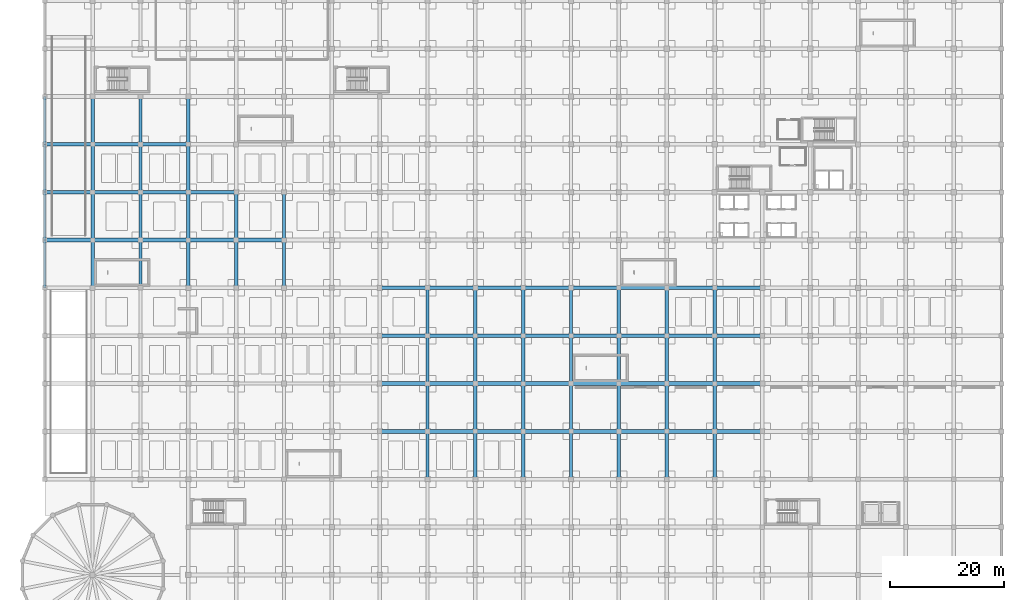
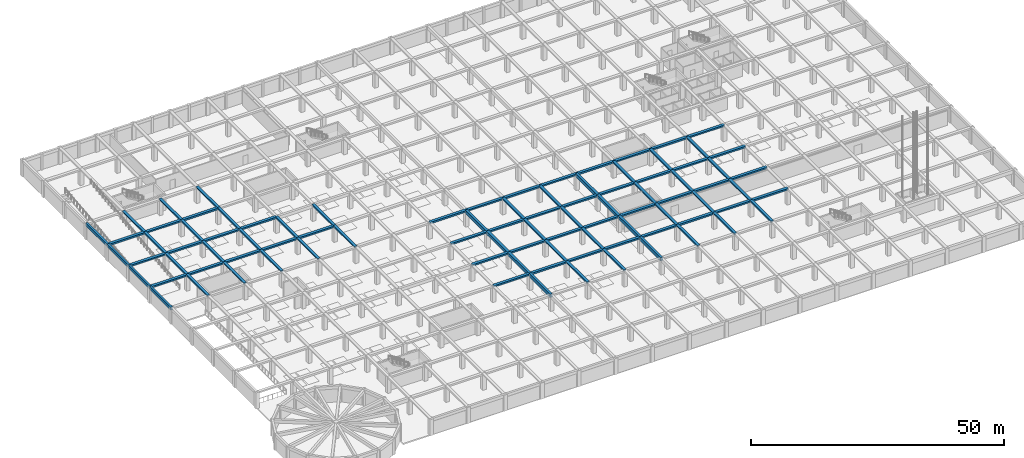
# One storey, part 5 of 32: 92 beams.
"""IFC4 building model written with IfcOpenShell, lengths in metres."""

from ifc_helpers import new_model, si_unit, direction, frame, origin, origin_2d, place, context, subcontext, project, spatial, rectangle, extrude, material, material_profile, profile_set, type_object, element, save


model = new_model("IFC4")

# Units and contexts
model_context = context("Model", 3, precision=1e-05, world=origin(), true_north=direction((0.0, 1.0)))
body_context = subcontext(model_context, "Body", "Model", "MODEL_VIEW")
ifc_project = project(units=[si_unit("LENGTHUNIT", "METRE"), si_unit("AREAUNIT", "SQUARE_METRE"), si_unit("VOLUMEUNIT", "CUBIC_METRE"), si_unit("PLANEANGLEUNIT", "RADIAN"), si_unit("MASSUNIT", "GRAM", prefix="KILO")], contexts=[model_context])

# Site, building, storey
site_placement = place(None, origin())
site = spatial("IfcSite", under=ifc_project, at=site_placement, CompositionType="ELEMENT")
building_placement = place(site_placement, origin())
building = spatial("IfcBuilding", under=site, at=building_placement, Name="Almacenes y Pasaje Nevantli", CompositionType="ELEMENT")
storey_placement = place(building_placement, frame((0.0, 0.0, -4.199951171875)))
storey = spatial("IfcBuildingStorey", under=building, at=storey_placement, Name="B01", CompositionType="ELEMENT", Elevation=-4.199951171875)

# Beams
ifc_material_1 = material(Name="Concrete C35/45", Category="concrete")
ifc_material_profile_1 = material_profile(ifc_material_1, rectangle(XDim=0.449951171875, YDim=0.699951171875, at=origin_2d()), Name="RC-BM-450x700")
ifc_profile_set_1 = profile_set([ifc_material_profile_1], Name="Concrete C35/45")
beam_type_1 = type_object("IfcBeamType", Name="BM-RC-450x700", PredefinedType="SPANDREL", material=ifc_profile_set_1)
beam_1_placement = place(storey_placement, frame((0.0, 58.800048828125, 3.530029296875), z_axis=(0.0, 1.0, 0.0), x_axis=(-1.0, 0.0, 0.0)))
element("IfcBeam", 1, at=beam_1_placement, inside=storey, type_object=beam_type_1, Name="B01 North-South Reinforced Concrete Beam #900", PredefinedType="SPANDREL", context=body_context, shape_type="SweptSolid", body=[
    extrude(rectangle(XDim=0.449951171875, YDim=0.699951171875, at=origin_2d()), origin(), (0.0, 0.0, 1.0), 8.39990234375),
])
beam_2_placement = place(storey_placement, frame((0.0, 67.199951171875, 3.530029296875), z_axis=(0.0, 1.0, 0.0), x_axis=(-1.0, 0.0, 0.0)))
element("IfcBeam", 2, at=beam_2_placement, inside=storey, type_object=beam_type_1, Name="B01 North-South Reinforced Concrete Beam #901", PredefinedType="SPANDREL", context=body_context, shape_type="SweptSolid", body=[
    extrude(rectangle(XDim=0.449951171875, YDim=0.699951171875, at=origin_2d()), origin(), (0.0, 0.0, 1.0), 8.400146484375),
])
for number, where, z_axis, x_axis, name in (
    (3, (0.0, 75.60009765625, 3.530029296875), (0.0, 1.0, 0.0), (-1.0, 0.0, 0.0), "B01 North-South Reinforced Concrete Beam #902"),
    (4, (0.0, 84.0, 3.530029296875), (0.0, 1.0, 0.0), (-1.0, 0.0, 0.0), "B01 North-South Reinforced Concrete Beam #903"),
):
    element("IfcBeam", number, at=place(storey_placement, frame(where, z_axis=z_axis, x_axis=x_axis)), inside=storey, type_object=beam_type_1, Name=name, PredefinedType="SPANDREL", context=body_context, shape_type="SweptSolid", body=[
        extrude(rectangle(XDim=0.449951171875, YDim=0.699951171875, at=origin_2d()), origin(), (0.0, 0.0, 1.0), 8.39990234375),
    ])
ifc_material_2 = material(Name="Concrete C35/45", Category="concrete")
ifc_material_profile_2 = material_profile(ifc_material_2, rectangle(XDim=0.550048828125, YDim=0.800048828125, at=origin_2d()), Name="RC-BM-550x800")
ifc_profile_set_2 = profile_set([ifc_material_profile_2], Name="Concrete C35/45")
beam_type_2 = type_object("IfcBeamType", Name="BM-RC-550x800", PredefinedType="BEAM", material=ifc_profile_set_2)
beam_3_placement = place(storey_placement, frame((67.199951171875, 25.199951171875, 3.47998046875), z_axis=(0.0, 1.0, 0.0), x_axis=(-1.0, 0.0, 0.0)))
element("IfcBeam", 5, at=beam_3_placement, inside=storey, type_object=beam_type_2, Name="B01 North-South Reinforced Concrete Beam #999", PredefinedType="BEAM", context=body_context, shape_type="SweptSolid", body=[
    extrude(rectangle(XDim=0.550048828125, YDim=0.800048828125, at=origin_2d()), origin(), (0.0, 0.0, 1.0), 8.400146484375),
])
for number, where, z_axis, x_axis, name in (
    (6, (67.199951171875, 33.60009765625, 3.47998046875), (0.0, 1.0, 0.0), (-1.0, 0.0, 0.0), "B01 North-South Reinforced Concrete Beam #1000"),
    (7, (67.199951171875, 42.0, 3.47998046875), (0.0, 1.0, 0.0), (-1.0, 0.0, 0.0), "B01 North-South Reinforced Concrete Beam #1001"),
):
    element("IfcBeam", number, at=place(storey_placement, frame(where, z_axis=z_axis, x_axis=x_axis)), inside=storey, type_object=beam_type_2, Name=name, PredefinedType="BEAM", context=body_context, shape_type="SweptSolid", body=[
        extrude(rectangle(XDim=0.550048828125, YDim=0.800048828125, at=origin_2d()), origin(), (0.0, 0.0, 1.0), 8.39990234375),
    ])
for number, where, z_axis, x_axis, name in (
    (8, (67.199951171875, 50.39990234375, 3.47998046875), (0.0, 1.0, 0.0), (-1.0, 0.0, 0.0), "B01 North-South Reinforced Concrete Beam #1002"),
    (9, (92.39990234375, 25.199951171875, 3.47998046875), (0.0, 1.0, 0.0), (-1.0, 0.0, 0.0), "B01 North-South Reinforced Concrete Beam #1041"),
):
    element("IfcBeam", number, at=place(storey_placement, frame(where, z_axis=z_axis, x_axis=x_axis)), inside=storey, type_object=beam_type_2, Name=name, PredefinedType="BEAM", context=body_context, shape_type="SweptSolid", body=[
        extrude(rectangle(XDim=0.550048828125, YDim=0.800048828125, at=origin_2d()), origin(), (0.0, 0.0, 1.0), 8.400146484375),
    ])
for number, where, z_axis, x_axis, name in (
    (10, (92.39990234375, 33.60009765625, 3.47998046875), (0.0, 1.0, 0.0), (-1.0, 0.0, 0.0), "B01 North-South Reinforced Concrete Beam #1042"),
    (11, (92.39990234375, 42.0, 3.47998046875), (0.0, 1.0, 0.0), (-1.0, 0.0, 0.0), "B01 North-South Reinforced Concrete Beam #1043"),
):
    element("IfcBeam", number, at=place(storey_placement, frame(where, z_axis=z_axis, x_axis=x_axis)), inside=storey, type_object=beam_type_2, Name=name, PredefinedType="BEAM", context=body_context, shape_type="SweptSolid", body=[
        extrude(rectangle(XDim=0.550048828125, YDim=0.800048828125, at=origin_2d()), origin(), (0.0, 0.0, 1.0), 8.39990234375),
    ])
beam_4_placement = place(storey_placement, frame((92.39990234375, 50.39990234375, 3.47998046875), z_axis=(0.0, 1.0, 0.0), x_axis=(-1.0, 0.0, 0.0)))
element("IfcBeam", 12, at=beam_4_placement, inside=storey, type_object=beam_type_2, Name="B01 North-South Reinforced Concrete Beam #1044", PredefinedType="BEAM", context=body_context, shape_type="SweptSolid", body=[
    extrude(rectangle(XDim=0.550048828125, YDim=0.800048828125, at=origin_2d()), origin(), (0.0, 0.0, 1.0), 8.400146484375),
])
ifc_material_3 = material(Name="Concrete C35/45", Category="concrete")
ifc_material_profile_3 = material_profile(ifc_material_3, rectangle(XDim=0.60009765625, YDim=0.320068359375, at=origin_2d()), Name="RC-BM-600x320")
ifc_profile_set_3 = profile_set([ifc_material_profile_3], Name="Concrete C35/45")
beam_type_3 = type_object("IfcBeamType", Name="BM-RC-600x320", PredefinedType="BEAM", material=ifc_profile_set_3)
beam_5_placement = place(storey_placement, frame((8.39990234375, 67.199951171875, 3.719970703125), z_axis=(0.0, 1.0, 0.0), x_axis=(-1.0, 0.0, 0.0)))
element("IfcBeam", 13, at=beam_5_placement, inside=storey, type_object=beam_type_3, Name="B01 North-South Reinforced Concrete Beam #912", PredefinedType="BEAM", context=body_context, shape_type="SweptSolid", body=[
    extrude(rectangle(XDim=0.60009765625, YDim=0.320068359375, at=origin_2d()), origin(), (0.0, 0.0, 1.0), 8.400146484375),
])
for number, where, z_axis, x_axis, name in (
    (14, (8.39990234375, 84.0, 3.719970703125), (0.0, 1.0, 0.0), (-1.0, 0.0, 0.0), "B01 North-South Reinforced Concrete Beam #914"),
    (15, (16.800048828125, 58.800048828125, 3.719970703125), (0.0, 1.0, 0.0), (-1.0, 0.0, 0.0), "B01 North-South Reinforced Concrete Beam #922"),
    (16, (16.800048828125, 75.60009765625, 3.719970703125), (0.0, 1.0, 0.0), (-1.0, 0.0, 0.0), "B01 North-South Reinforced Concrete Beam #924"),
):
    element("IfcBeam", number, at=place(storey_placement, frame(where, z_axis=z_axis, x_axis=x_axis)), inside=storey, type_object=beam_type_3, Name=name, PredefinedType="BEAM", context=body_context, shape_type="SweptSolid", body=[
        extrude(rectangle(XDim=0.60009765625, YDim=0.320068359375, at=origin_2d()), origin(), (0.0, 0.0, 1.0), 8.39990234375),
    ])
beam_6_placement = place(storey_placement, frame((25.199951171875, 67.199951171875, 3.719970703125), z_axis=(0.0, 1.0, 0.0), x_axis=(-1.0, 0.0, 0.0)))
element("IfcBeam", 17, at=beam_6_placement, inside=storey, type_object=beam_type_3, Name="B01 North-South Reinforced Concrete Beam #936", PredefinedType="BEAM", context=body_context, shape_type="SweptSolid", body=[
    extrude(rectangle(XDim=0.60009765625, YDim=0.320068359375, at=origin_2d()), origin(), (0.0, 0.0, 1.0), 8.400146484375),
])
for number, where, z_axis, x_axis, name in (
    (18, (25.199951171875, 84.0, 3.719970703125), (0.0, 1.0, 0.0), (-1.0, 0.0, 0.0), "B01 North-South Reinforced Concrete Beam #938"),
    (19, (33.60009765625, 58.800048828125, 3.719970703125), (0.0, 1.0, 0.0), (-1.0, 0.0, 0.0), "B01 North-South Reinforced Concrete Beam #948"),
):
    element("IfcBeam", number, at=place(storey_placement, frame(where, z_axis=z_axis, x_axis=x_axis)), inside=storey, type_object=beam_type_3, Name=name, PredefinedType="BEAM", context=body_context, shape_type="SweptSolid", body=[
        extrude(rectangle(XDim=0.60009765625, YDim=0.320068359375, at=origin_2d()), origin(), (0.0, 0.0, 1.0), 8.39990234375),
    ])
beam_7_placement = place(storey_placement, frame((42.0, 67.199951171875, 3.719970703125), z_axis=(0.0, 1.0, 0.0), x_axis=(-1.0, 0.0, 0.0)))
element("IfcBeam", 20, at=beam_7_placement, inside=storey, type_object=beam_type_3, Name="B01 North-South Reinforced Concrete Beam #963", PredefinedType="BEAM", context=body_context, shape_type="SweptSolid", body=[
    extrude(rectangle(XDim=0.60009765625, YDim=0.320068359375, at=origin_2d()), origin(), (0.0, 0.0, 1.0), 8.400146484375),
])
beam_8_placement = place(storey_placement, frame((75.60009765625, 33.60009765625, 3.719970703125), z_axis=(0.0, 1.0, 0.0), x_axis=(-1.0, 0.0, 0.0)))
element("IfcBeam", 21, at=beam_8_placement, inside=storey, type_object=beam_type_3, Name="B01 North-South Reinforced Concrete Beam #1014", PredefinedType="BEAM", context=body_context, shape_type="SweptSolid", body=[
    extrude(rectangle(XDim=0.60009765625, YDim=0.320068359375, at=origin_2d()), origin(), (0.0, 0.0, 1.0), 8.39990234375),
])
for number, where, z_axis, x_axis, name in (
    (22, (75.60009765625, 50.39990234375, 3.719970703125), (0.0, 1.0, 0.0), (-1.0, 0.0, 0.0), "B01 North-South Reinforced Concrete Beam #1016"),
    (23, (84.0, 25.199951171875, 3.719970703125), (0.0, 1.0, 0.0), (-1.0, 0.0, 0.0), "B01 North-South Reinforced Concrete Beam #1027"),
):
    element("IfcBeam", number, at=place(storey_placement, frame(where, z_axis=z_axis, x_axis=x_axis)), inside=storey, type_object=beam_type_3, Name=name, PredefinedType="BEAM", context=body_context, shape_type="SweptSolid", body=[
        extrude(rectangle(XDim=0.60009765625, YDim=0.320068359375, at=origin_2d()), origin(), (0.0, 0.0, 1.0), 8.400146484375),
    ])
beam_9_placement = place(storey_placement, frame((84.0, 42.0, 3.719970703125), z_axis=(0.0, 1.0, 0.0), x_axis=(-1.0, 0.0, 0.0)))
element("IfcBeam", 24, at=beam_9_placement, inside=storey, type_object=beam_type_3, Name="B01 North-South Reinforced Concrete Beam #1029", PredefinedType="BEAM", context=body_context, shape_type="SweptSolid", body=[
    extrude(rectangle(XDim=0.60009765625, YDim=0.320068359375, at=origin_2d()), origin(), (0.0, 0.0, 1.0), 8.39990234375),
])
beam_10_placement = place(storey_placement, frame((100.800048828125, 25.199951171875, 3.719970703125), z_axis=(0.0, 1.0, 0.0), x_axis=(-1.0, 0.0, 0.0)))
element("IfcBeam", 25, at=beam_10_placement, inside=storey, type_object=beam_type_3, Name="B01 North-South Reinforced Concrete Beam #1055", PredefinedType="BEAM", context=body_context, shape_type="SweptSolid", body=[
    extrude(rectangle(XDim=0.60009765625, YDim=0.320068359375, at=origin_2d()), origin(), (0.0, 0.0, 1.0), 8.400146484375),
])
for number, where, z_axis, x_axis, name in (
    (26, (100.800048828125, 42.0, 3.719970703125), (0.0, 1.0, 0.0), (-1.0, 0.0, 0.0), "B01 North-South Reinforced Concrete Beam #1057"),
    (27, (109.199951171875, 33.60009765625, 3.719970703125), (0.0, 1.0, 0.0), (-1.0, 0.0, 0.0), "B01 North-South Reinforced Concrete Beam #1070"),
):
    element("IfcBeam", number, at=place(storey_placement, frame(where, z_axis=z_axis, x_axis=x_axis)), inside=storey, type_object=beam_type_3, Name=name, PredefinedType="BEAM", context=body_context, shape_type="SweptSolid", body=[
        extrude(rectangle(XDim=0.60009765625, YDim=0.320068359375, at=origin_2d()), origin(), (0.0, 0.0, 1.0), 8.39990234375),
    ])
for number, where, z_axis, x_axis, name in (
    (28, (109.199951171875, 50.39990234375, 3.719970703125), (0.0, 1.0, 0.0), (-1.0, 0.0, 0.0), "B01 North-South Reinforced Concrete Beam #1072"),
    (29, (117.60009765625, 25.199951171875, 3.719970703125), (0.0, 1.0, 0.0), (-1.0, 0.0, 0.0), "B01 North-South Reinforced Concrete Beam #1083"),
):
    element("IfcBeam", number, at=place(storey_placement, frame(where, z_axis=z_axis, x_axis=x_axis)), inside=storey, type_object=beam_type_3, Name=name, PredefinedType="BEAM", context=body_context, shape_type="SweptSolid", body=[
        extrude(rectangle(XDim=0.60009765625, YDim=0.320068359375, at=origin_2d()), origin(), (0.0, 0.0, 1.0), 8.400146484375),
    ])
beam_11_placement = place(storey_placement, frame((117.60009765625, 42.0, 3.719970703125), z_axis=(0.0, 1.0, 0.0), x_axis=(-1.0, 0.0, 0.0)))
element("IfcBeam", 30, at=beam_11_placement, inside=storey, type_object=beam_type_3, Name="B01 North-South Reinforced Concrete Beam #1085", PredefinedType="BEAM", context=body_context, shape_type="SweptSolid", body=[
    extrude(rectangle(XDim=0.60009765625, YDim=0.320068359375, at=origin_2d()), origin(), (0.0, 0.0, 1.0), 8.39990234375),
])
ifc_material_4 = material(Name="Concrete C35/45", Category="concrete")
ifc_material_profile_4 = material_profile(ifc_material_4, rectangle(XDim=0.60009765625, YDim=0.340087890625, at=origin_2d()), Name="RC-BM-600x340")
ifc_profile_set_4 = profile_set([ifc_material_profile_4], Name="Concrete C35/45")
beam_type_4 = type_object("IfcBeamType", Name="BM-RC-600x340", PredefinedType="BEAM", material=ifc_profile_set_4)
for number, where, z_axis, x_axis, name in (
    (31, (8.39990234375, 58.800048828125, 3.7099609375), (0.0, 1.0, 0.0), (-1.0, 0.0, 0.0), "B01 North-South Reinforced Concrete Beam #911"),
    (32, (8.39990234375, 75.60009765625, 3.7099609375), (0.0, 1.0, 0.0), (-1.0, 0.0, 0.0), "B01 North-South Reinforced Concrete Beam #913"),
):
    element("IfcBeam", number, at=place(storey_placement, frame(where, z_axis=z_axis, x_axis=x_axis)), inside=storey, type_object=beam_type_4, Name=name, PredefinedType="BEAM", context=body_context, shape_type="SweptSolid", body=[
        extrude(rectangle(XDim=0.60009765625, YDim=0.340087890625, at=origin_2d()), origin(), (0.0, 0.0, 1.0), 8.39990234375),
    ])
beam_12_placement = place(storey_placement, frame((16.800048828125, 67.199951171875, 3.7099609375), z_axis=(0.0, 1.0, 0.0), x_axis=(-1.0, 0.0, 0.0)))
element("IfcBeam", 33, at=beam_12_placement, inside=storey, type_object=beam_type_4, Name="B01 North-South Reinforced Concrete Beam #923", PredefinedType="BEAM", context=body_context, shape_type="SweptSolid", body=[
    extrude(rectangle(XDim=0.60009765625, YDim=0.340087890625, at=origin_2d()), origin(), (0.0, 0.0, 1.0), 8.400146484375),
])
for number, where, z_axis, x_axis, name in (
    (34, (16.800048828125, 84.0, 3.7099609375), (0.0, 1.0, 0.0), (-1.0, 0.0, 0.0), "B01 North-South Reinforced Concrete Beam #925"),
    (35, (25.199951171875, 58.800048828125, 3.7099609375), (0.0, 1.0, 0.0), (-1.0, 0.0, 0.0), "B01 North-South Reinforced Concrete Beam #935"),
    (36, (25.199951171875, 75.60009765625, 3.7099609375), (0.0, 1.0, 0.0), (-1.0, 0.0, 0.0), "B01 North-South Reinforced Concrete Beam #937"),
):
    element("IfcBeam", number, at=place(storey_placement, frame(where, z_axis=z_axis, x_axis=x_axis)), inside=storey, type_object=beam_type_4, Name=name, PredefinedType="BEAM", context=body_context, shape_type="SweptSolid", body=[
        extrude(rectangle(XDim=0.60009765625, YDim=0.340087890625, at=origin_2d()), origin(), (0.0, 0.0, 1.0), 8.39990234375),
    ])
beam_13_placement = place(storey_placement, frame((33.60009765625, 67.199951171875, 3.7099609375), z_axis=(0.0, 1.0, 0.0), x_axis=(-1.0, 0.0, 0.0)))
element("IfcBeam", 37, at=beam_13_placement, inside=storey, type_object=beam_type_4, Name="B01 North-South Reinforced Concrete Beam #949", PredefinedType="BEAM", context=body_context, shape_type="SweptSolid", body=[
    extrude(rectangle(XDim=0.60009765625, YDim=0.340087890625, at=origin_2d()), origin(), (0.0, 0.0, 1.0), 8.400146484375),
])
beam_14_placement = place(storey_placement, frame((42.0, 58.800048828125, 3.7099609375), z_axis=(0.0, 1.0, 0.0), x_axis=(-1.0, 0.0, 0.0)))
element("IfcBeam", 38, at=beam_14_placement, inside=storey, type_object=beam_type_4, Name="B01 North-South Reinforced Concrete Beam #962", PredefinedType="BEAM", context=body_context, shape_type="SweptSolid", body=[
    extrude(rectangle(XDim=0.60009765625, YDim=0.340087890625, at=origin_2d()), origin(), (0.0, 0.0, 1.0), 8.39990234375),
])
beam_15_placement = place(storey_placement, frame((75.60009765625, 25.199951171875, 3.7099609375), z_axis=(0.0, 1.0, 0.0), x_axis=(-1.0, 0.0, 0.0)))
element("IfcBeam", 39, at=beam_15_placement, inside=storey, type_object=beam_type_4, Name="B01 North-South Reinforced Concrete Beam #1013", PredefinedType="BEAM", context=body_context, shape_type="SweptSolid", body=[
    extrude(rectangle(XDim=0.60009765625, YDim=0.340087890625, at=origin_2d()), origin(), (0.0, 0.0, 1.0), 8.400146484375),
])
for number, where, z_axis, x_axis, name in (
    (40, (75.60009765625, 42.0, 3.7099609375), (0.0, 1.0, 0.0), (-1.0, 0.0, 0.0), "B01 North-South Reinforced Concrete Beam #1015"),
    (41, (84.0, 33.60009765625, 3.7099609375), (0.0, 1.0, 0.0), (-1.0, 0.0, 0.0), "B01 North-South Reinforced Concrete Beam #1028"),
):
    element("IfcBeam", number, at=place(storey_placement, frame(where, z_axis=z_axis, x_axis=x_axis)), inside=storey, type_object=beam_type_4, Name=name, PredefinedType="BEAM", context=body_context, shape_type="SweptSolid", body=[
        extrude(rectangle(XDim=0.60009765625, YDim=0.340087890625, at=origin_2d()), origin(), (0.0, 0.0, 1.0), 8.39990234375),
    ])
beam_16_placement = place(storey_placement, frame((84.0, 50.39990234375, 3.7099609375), z_axis=(0.0, 1.0, 0.0), x_axis=(-1.0, 0.0, 0.0)))
element("IfcBeam", 42, at=beam_16_placement, inside=storey, type_object=beam_type_4, Name="B01 North-South Reinforced Concrete Beam #1030", PredefinedType="BEAM", context=body_context, shape_type="SweptSolid", body=[
    extrude(rectangle(XDim=0.60009765625, YDim=0.340087890625, at=origin_2d()), origin(), (0.0, 0.0, 1.0), 8.400146484375),
])
beam_17_placement = place(storey_placement, frame((100.800048828125, 33.60009765625, 3.7099609375), z_axis=(0.0, 1.0, 0.0), x_axis=(-1.0, 0.0, 0.0)))
element("IfcBeam", 43, at=beam_17_placement, inside=storey, type_object=beam_type_4, Name="B01 North-South Reinforced Concrete Beam #1056", PredefinedType="BEAM", context=body_context, shape_type="SweptSolid", body=[
    extrude(rectangle(XDim=0.60009765625, YDim=0.340087890625, at=origin_2d()), origin(), (0.0, 0.0, 1.0), 8.39990234375),
])
for number, where, z_axis, x_axis, name in (
    (44, (100.800048828125, 50.39990234375, 3.7099609375), (0.0, 1.0, 0.0), (-1.0, 0.0, 0.0), "B01 North-South Reinforced Concrete Beam #1058"),
    (45, (109.199951171875, 25.199951171875, 3.7099609375), (0.0, 1.0, 0.0), (-1.0, 0.0, 0.0), "B01 North-South Reinforced Concrete Beam #1069"),
):
    element("IfcBeam", number, at=place(storey_placement, frame(where, z_axis=z_axis, x_axis=x_axis)), inside=storey, type_object=beam_type_4, Name=name, PredefinedType="BEAM", context=body_context, shape_type="SweptSolid", body=[
        extrude(rectangle(XDim=0.60009765625, YDim=0.340087890625, at=origin_2d()), origin(), (0.0, 0.0, 1.0), 8.400146484375),
    ])
for number, where, z_axis, x_axis, name in (
    (46, (109.199951171875, 42.0, 3.7099609375), (0.0, 1.0, 0.0), (-1.0, 0.0, 0.0), "B01 North-South Reinforced Concrete Beam #1071"),
    (47, (117.60009765625, 33.60009765625, 3.7099609375), (0.0, 1.0, 0.0), (-1.0, 0.0, 0.0), "B01 North-South Reinforced Concrete Beam #1084"),
):
    element("IfcBeam", number, at=place(storey_placement, frame(where, z_axis=z_axis, x_axis=x_axis)), inside=storey, type_object=beam_type_4, Name=name, PredefinedType="BEAM", context=body_context, shape_type="SweptSolid", body=[
        extrude(rectangle(XDim=0.60009765625, YDim=0.340087890625, at=origin_2d()), origin(), (0.0, 0.0, 1.0), 8.39990234375),
    ])
beam_18_placement = place(storey_placement, frame((117.60009765625, 50.39990234375, 3.7099609375), z_axis=(0.0, 1.0, 0.0), x_axis=(-1.0, 0.0, 0.0)))
element("IfcBeam", 48, at=beam_18_placement, inside=storey, type_object=beam_type_4, Name="B01 North-South Reinforced Concrete Beam #1086", PredefinedType="BEAM", context=body_context, shape_type="SweptSolid", body=[
    extrude(rectangle(XDim=0.60009765625, YDim=0.340087890625, at=origin_2d()), origin(), (0.0, 0.0, 1.0), 8.400146484375),
])
ifc_material_5 = material(Name="Concrete C35/45", Category="concrete")
ifc_material_profile_5 = material_profile(ifc_material_5, rectangle(XDim=0.64990234375, YDim=0.35009765625, at=origin_2d()), Name="RC-BM-650x350")
ifc_profile_set_5 = profile_set([ifc_material_profile_5], Name="Concrete C35/45")
beam_type_5 = type_object("IfcBeamType", Name="BM-RC-650x350", PredefinedType="BEAM", material=ifc_profile_set_5)
for number, where, z_axis, x_axis, name in (
    (49, (58.800048828125, 33.60009765625, 3.704833984375), (1.0, 0.0, 0.0), (0.0, 1.0, 0.0), "B01 East-West Reinforced Concrete Beam #683"),
    (50, (75.60009765625, 33.60009765625, 3.704833984375), (1.0, 0.0, 0.0), (0.0, 1.0, 0.0), "B01 East-West Reinforced Concrete Beam #685"),
):
    element("IfcBeam", number, at=place(storey_placement, frame(where, z_axis=z_axis, x_axis=x_axis)), inside=storey, type_object=beam_type_5, Name=name, PredefinedType="BEAM", context=body_context, shape_type="SweptSolid", body=[
        extrude(rectangle(XDim=0.64990234375, YDim=0.35009765625, at=origin_2d()), origin(), (0.0, 0.0, 1.0), 8.39990234375),
    ])
for number, where, z_axis, x_axis, name in (
    (51, (92.39990234375, 33.60009765625, 3.704833984375), (1.0, 0.0, 0.0), (0.0, 1.0, 0.0), "B01 East-West Reinforced Concrete Beam #687"),
    (52, (109.199951171875, 33.60009765625, 3.704833984375), (1.0, 0.0, 0.0), (0.0, 1.0, 0.0), "B01 East-West Reinforced Concrete Beam #689"),
    (53, (67.199951171875, 42.0, 3.704833984375), (1.0, 0.0, 0.0), (0.0, 1.0, 0.0), "B01 East-West Reinforced Concrete Beam #704"),
):
    element("IfcBeam", number, at=place(storey_placement, frame(where, z_axis=z_axis, x_axis=x_axis)), inside=storey, type_object=beam_type_5, Name=name, PredefinedType="BEAM", context=body_context, shape_type="SweptSolid", body=[
        extrude(rectangle(XDim=0.64990234375, YDim=0.35009765625, at=origin_2d()), origin(), (0.0, 0.0, 1.0), 8.400146484375),
    ])
for number, where, z_axis, x_axis, name in (
    (54, (84.0, 42.0, 3.704833984375), (1.0, 0.0, 0.0), (0.0, 1.0, 0.0), "B01 East-West Reinforced Concrete Beam #706"),
    (55, (100.800048828125, 42.0, 3.704833984375), (1.0, 0.0, 0.0), (0.0, 1.0, 0.0), "B01 East-West Reinforced Concrete Beam #708"),
    (56, (117.60009765625, 42.0, 3.704833984375), (1.0, 0.0, 0.0), (0.0, 1.0, 0.0), "B01 East-West Reinforced Concrete Beam #710"),
    (57, (58.800048828125, 50.39990234375, 3.704833984375), (1.0, 0.0, 0.0), (0.0, 1.0, 0.0), "B01 East-West Reinforced Concrete Beam #723"),
    (58, (75.60009765625, 50.39990234375, 3.704833984375), (1.0, 0.0, 0.0), (0.0, 1.0, 0.0), "B01 East-West Reinforced Concrete Beam #725"),
):
    element("IfcBeam", number, at=place(storey_placement, frame(where, z_axis=z_axis, x_axis=x_axis)), inside=storey, type_object=beam_type_5, Name=name, PredefinedType="BEAM", context=body_context, shape_type="SweptSolid", body=[
        extrude(rectangle(XDim=0.64990234375, YDim=0.35009765625, at=origin_2d()), origin(), (0.0, 0.0, 1.0), 8.39990234375),
    ])
for number, where, z_axis, x_axis, name in (
    (59, (92.39990234375, 50.39990234375, 3.704833984375), (1.0, 0.0, 0.0), (0.0, 1.0, 0.0), "B01 East-West Reinforced Concrete Beam #727"),
    (60, (109.199951171875, 50.39990234375, 3.704833984375), (1.0, 0.0, 0.0), (0.0, 1.0, 0.0), "B01 East-West Reinforced Concrete Beam #729"),
    (61, (67.199951171875, 58.800048828125, 3.704833984375), (1.0, 0.0, 0.0), (0.0, 1.0, 0.0), "B01 East-West Reinforced Concrete Beam #744"),
):
    element("IfcBeam", number, at=place(storey_placement, frame(where, z_axis=z_axis, x_axis=x_axis)), inside=storey, type_object=beam_type_5, Name=name, PredefinedType="BEAM", context=body_context, shape_type="SweptSolid", body=[
        extrude(rectangle(XDim=0.64990234375, YDim=0.35009765625, at=origin_2d()), origin(), (0.0, 0.0, 1.0), 8.400146484375),
    ])
for number, where, z_axis, x_axis, name in (
    (62, (84.0, 58.800048828125, 3.704833984375), (1.0, 0.0, 0.0), (0.0, 1.0, 0.0), "B01 East-West Reinforced Concrete Beam #746"),
    (63, (100.800048828125, 58.800048828125, 3.704833984375), (1.0, 0.0, 0.0), (0.0, 1.0, 0.0), "B01 East-West Reinforced Concrete Beam #748"),
    (64, (117.60009765625, 58.800048828125, 3.704833984375), (1.0, 0.0, 0.0), (0.0, 1.0, 0.0), "B01 East-West Reinforced Concrete Beam #750"),
):
    element("IfcBeam", number, at=place(storey_placement, frame(where, z_axis=z_axis, x_axis=x_axis)), inside=storey, type_object=beam_type_5, Name=name, PredefinedType="BEAM", context=body_context, shape_type="SweptSolid", body=[
        extrude(rectangle(XDim=0.64990234375, YDim=0.35009765625, at=origin_2d()), origin(), (0.0, 0.0, 1.0), 8.39990234375),
    ])
for number, where, z_axis, x_axis, name in (
    (65, (8.39990234375, 67.199951171875, 3.704833984375), (1.0, 0.0, 0.0), (0.0, 1.0, 0.0), "B01 East-West Reinforced Concrete Beam #757"),
    (66, (25.199951171875, 67.199951171875, 3.704833984375), (1.0, 0.0, 0.0), (0.0, 1.0, 0.0), "B01 East-West Reinforced Concrete Beam #759"),
):
    element("IfcBeam", number, at=place(storey_placement, frame(where, z_axis=z_axis, x_axis=x_axis)), inside=storey, type_object=beam_type_5, Name=name, PredefinedType="BEAM", context=body_context, shape_type="SweptSolid", body=[
        extrude(rectangle(XDim=0.64990234375, YDim=0.35009765625, at=origin_2d()), origin(), (0.0, 0.0, 1.0), 8.400146484375),
    ])
for number, where, z_axis, x_axis, name in (
    (67, (0.0, 75.60009765625, 3.704833984375), (1.0, 0.0, 0.0), (0.0, 1.0, 0.0), "B01 East-West Reinforced Concrete Beam #776"),
    (68, (16.800048828125, 75.60009765625, 3.704833984375), (1.0, 0.0, 0.0), (0.0, 1.0, 0.0), "B01 East-West Reinforced Concrete Beam #778"),
):
    element("IfcBeam", number, at=place(storey_placement, frame(where, z_axis=z_axis, x_axis=x_axis)), inside=storey, type_object=beam_type_5, Name=name, PredefinedType="BEAM", context=body_context, shape_type="SweptSolid", body=[
        extrude(rectangle(XDim=0.64990234375, YDim=0.35009765625, at=origin_2d()), origin(), (0.0, 0.0, 1.0), 8.39990234375),
    ])
beam_19_placement = place(storey_placement, frame((8.39990234375, 84.0, 3.704833984375), z_axis=(1.0, 0.0, 0.0), x_axis=(0.0, 1.0, 0.0)))
element("IfcBeam", 69, at=beam_19_placement, inside=storey, type_object=beam_type_5, Name="B01 East-West Reinforced Concrete Beam #797", PredefinedType="BEAM", context=body_context, shape_type="SweptSolid", body=[
    extrude(rectangle(XDim=0.64990234375, YDim=0.35009765625, at=origin_2d()), origin(), (0.0, 0.0, 1.0), 8.400146484375),
])
ifc_material_6 = material(Name="Concrete C35/45", Category="concrete")
ifc_material_profile_6 = material_profile(ifc_material_6, rectangle(XDim=0.64990234375, YDim=0.3798828125, at=origin_2d()), Name="RC-BM-650x380")
ifc_profile_set_6 = profile_set([ifc_material_profile_6], Name="Concrete C35/45")
beam_type_6 = type_object("IfcBeamType", Name="BM-RC-650x380", PredefinedType="BEAM", material=ifc_profile_set_6)
beam_20_placement = place(storey_placement, frame((67.199951171875, 33.60009765625, 3.68994140625), z_axis=(1.0, 0.0, 0.0), x_axis=(0.0, 1.0, 0.0)))
element("IfcBeam", 70, at=beam_20_placement, inside=storey, type_object=beam_type_6, Name="B01 East-West Reinforced Concrete Beam #684", PredefinedType="BEAM", context=body_context, shape_type="SweptSolid", body=[
    extrude(rectangle(XDim=0.64990234375, YDim=0.3798828125, at=origin_2d()), origin(), (0.0, 0.0, 1.0), 8.400146484375),
])
for number, where, z_axis, x_axis, name in (
    (71, (84.0, 33.60009765625, 3.68994140625), (1.0, 0.0, 0.0), (0.0, 1.0, 0.0), "B01 East-West Reinforced Concrete Beam #686"),
    (72, (100.800048828125, 33.60009765625, 3.68994140625), (1.0, 0.0, 0.0), (0.0, 1.0, 0.0), "B01 East-West Reinforced Concrete Beam #688"),
    (73, (117.60009765625, 33.60009765625, 3.68994140625), (1.0, 0.0, 0.0), (0.0, 1.0, 0.0), "B01 East-West Reinforced Concrete Beam #690"),
    (74, (58.800048828125, 42.0, 3.68994140625), (1.0, 0.0, 0.0), (0.0, 1.0, 0.0), "B01 East-West Reinforced Concrete Beam #703"),
    (75, (75.60009765625, 42.0, 3.68994140625), (1.0, 0.0, 0.0), (0.0, 1.0, 0.0), "B01 East-West Reinforced Concrete Beam #705"),
):
    element("IfcBeam", number, at=place(storey_placement, frame(where, z_axis=z_axis, x_axis=x_axis)), inside=storey, type_object=beam_type_6, Name=name, PredefinedType="BEAM", context=body_context, shape_type="SweptSolid", body=[
        extrude(rectangle(XDim=0.64990234375, YDim=0.3798828125, at=origin_2d()), origin(), (0.0, 0.0, 1.0), 8.39990234375),
    ])
for number, where, z_axis, x_axis, name in (
    (76, (92.39990234375, 42.0, 3.68994140625), (1.0, 0.0, 0.0), (0.0, 1.0, 0.0), "B01 East-West Reinforced Concrete Beam #707"),
    (77, (109.199951171875, 42.0, 3.68994140625), (1.0, 0.0, 0.0), (0.0, 1.0, 0.0), "B01 East-West Reinforced Concrete Beam #709"),
    (78, (67.199951171875, 50.39990234375, 3.68994140625), (1.0, 0.0, 0.0), (0.0, 1.0, 0.0), "B01 East-West Reinforced Concrete Beam #724"),
):
    element("IfcBeam", number, at=place(storey_placement, frame(where, z_axis=z_axis, x_axis=x_axis)), inside=storey, type_object=beam_type_6, Name=name, PredefinedType="BEAM", context=body_context, shape_type="SweptSolid", body=[
        extrude(rectangle(XDim=0.64990234375, YDim=0.3798828125, at=origin_2d()), origin(), (0.0, 0.0, 1.0), 8.400146484375),
    ])
for number, where, z_axis, x_axis, name in (
    (79, (84.0, 50.39990234375, 3.68994140625), (1.0, 0.0, 0.0), (0.0, 1.0, 0.0), "B01 East-West Reinforced Concrete Beam #726"),
    (80, (100.800048828125, 50.39990234375, 3.68994140625), (1.0, 0.0, 0.0), (0.0, 1.0, 0.0), "B01 East-West Reinforced Concrete Beam #728"),
    (81, (117.60009765625, 50.39990234375, 3.68994140625), (1.0, 0.0, 0.0), (0.0, 1.0, 0.0), "B01 East-West Reinforced Concrete Beam #730"),
    (82, (58.800048828125, 58.800048828125, 3.68994140625), (1.0, 0.0, 0.0), (0.0, 1.0, 0.0), "B01 East-West Reinforced Concrete Beam #743"),
    (83, (75.60009765625, 58.800048828125, 3.68994140625), (1.0, 0.0, 0.0), (0.0, 1.0, 0.0), "B01 East-West Reinforced Concrete Beam #745"),
):
    element("IfcBeam", number, at=place(storey_placement, frame(where, z_axis=z_axis, x_axis=x_axis)), inside=storey, type_object=beam_type_6, Name=name, PredefinedType="BEAM", context=body_context, shape_type="SweptSolid", body=[
        extrude(rectangle(XDim=0.64990234375, YDim=0.3798828125, at=origin_2d()), origin(), (0.0, 0.0, 1.0), 8.39990234375),
    ])
for number, where, z_axis, x_axis, name in (
    (84, (92.39990234375, 58.800048828125, 3.68994140625), (1.0, 0.0, 0.0), (0.0, 1.0, 0.0), "B01 East-West Reinforced Concrete Beam #747"),
    (85, (109.199951171875, 58.800048828125, 3.68994140625), (1.0, 0.0, 0.0), (0.0, 1.0, 0.0), "B01 East-West Reinforced Concrete Beam #749"),
):
    element("IfcBeam", number, at=place(storey_placement, frame(where, z_axis=z_axis, x_axis=x_axis)), inside=storey, type_object=beam_type_6, Name=name, PredefinedType="BEAM", context=body_context, shape_type="SweptSolid", body=[
        extrude(rectangle(XDim=0.64990234375, YDim=0.3798828125, at=origin_2d()), origin(), (0.0, 0.0, 1.0), 8.400146484375),
    ])
for number, where, z_axis, x_axis, name in (
    (86, (0.0, 67.199951171875, 3.68994140625), (1.0, 0.0, 0.0), (0.0, 1.0, 0.0), "B01 East-West Reinforced Concrete Beam #756"),
    (87, (16.800048828125, 67.199951171875, 3.68994140625), (1.0, 0.0, 0.0), (0.0, 1.0, 0.0), "B01 East-West Reinforced Concrete Beam #758"),
    (88, (33.60009765625, 67.199951171875, 3.68994140625), (1.0, 0.0, 0.0), (0.0, 1.0, 0.0), "B01 East-West Reinforced Concrete Beam #760"),
):
    element("IfcBeam", number, at=place(storey_placement, frame(where, z_axis=z_axis, x_axis=x_axis)), inside=storey, type_object=beam_type_6, Name=name, PredefinedType="BEAM", context=body_context, shape_type="SweptSolid", body=[
        extrude(rectangle(XDim=0.64990234375, YDim=0.3798828125, at=origin_2d()), origin(), (0.0, 0.0, 1.0), 8.39990234375),
    ])
for number, where, z_axis, x_axis, name in (
    (89, (8.39990234375, 75.60009765625, 3.68994140625), (1.0, 0.0, 0.0), (0.0, 1.0, 0.0), "B01 East-West Reinforced Concrete Beam #777"),
    (90, (25.199951171875, 75.60009765625, 3.68994140625), (1.0, 0.0, 0.0), (0.0, 1.0, 0.0), "B01 East-West Reinforced Concrete Beam #779"),
):
    element("IfcBeam", number, at=place(storey_placement, frame(where, z_axis=z_axis, x_axis=x_axis)), inside=storey, type_object=beam_type_6, Name=name, PredefinedType="BEAM", context=body_context, shape_type="SweptSolid", body=[
        extrude(rectangle(XDim=0.64990234375, YDim=0.3798828125, at=origin_2d()), origin(), (0.0, 0.0, 1.0), 8.400146484375),
    ])
for number, where, z_axis, x_axis, name in (
    (91, (0.0, 84.0, 3.68994140625), (1.0, 0.0, 0.0), (0.0, 1.0, 0.0), "B01 East-West Reinforced Concrete Beam #796"),
    (92, (16.800048828125, 84.0, 3.68994140625), (1.0, 0.0, 0.0), (0.0, 1.0, 0.0), "B01 East-West Reinforced Concrete Beam #798"),
):
    element("IfcBeam", number, at=place(storey_placement, frame(where, z_axis=z_axis, x_axis=x_axis)), inside=storey, type_object=beam_type_6, Name=name, PredefinedType="BEAM", context=body_context, shape_type="SweptSolid", body=[
        extrude(rectangle(XDim=0.64990234375, YDim=0.3798828125, at=origin_2d()), origin(), (0.0, 0.0, 1.0), 8.39990234375),
    ])

save(model, "model.ifc")
